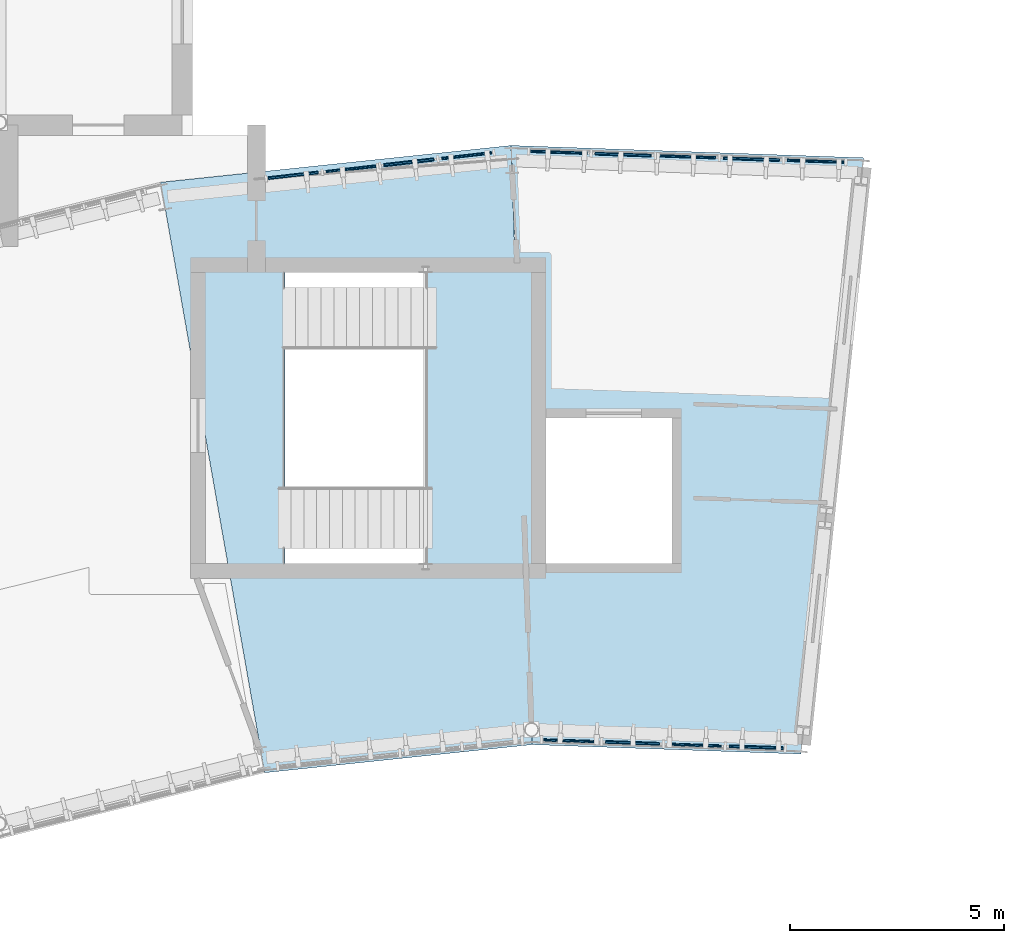
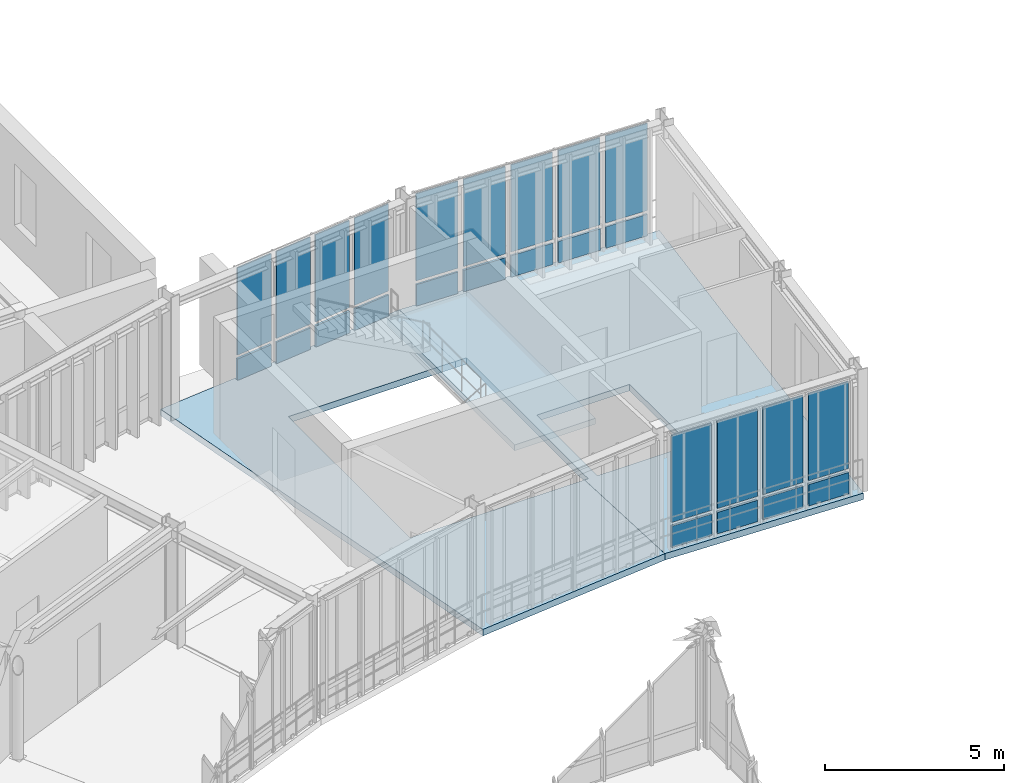
# One storey, part 104 of 148: 26 plates, 3 slabs, 4 elements without a shape of their own.
"""IFC4 building model written with IfcOpenShell, lengths in metres."""

from ifc_helpers import new_model, si_unit, direction, frame, origin, origin_2d, place, context, subcontext, project, spatial, polyline, rectangle, outline, extrude, material, layer, layer_set, type_object, element, aggregate, save


model = new_model("IFC4")

# Units and contexts
model_context = context("Model", 3, precision=1e-05, world=origin(), true_north=direction((0.0, 1.0)))
body_context = subcontext(model_context, "Body", "Model", "MODEL_VIEW")
ifc_project = project(units=[si_unit("LENGTHUNIT", "METRE"), si_unit("AREAUNIT", "SQUARE_METRE"), si_unit("VOLUMEUNIT", "CUBIC_METRE"), si_unit("PLANEANGLEUNIT", "RADIAN"), si_unit("MASSUNIT", "GRAM", prefix="KILO"), si_unit("THERMODYNAMICTEMPERATUREUNIT", "KELVIN"), si_unit("POWERUNIT", "WATT")], contexts=[model_context])

# Site, building, storey
site_placement = place(None, origin())
site = spatial("IfcSite", under=ifc_project, at=site_placement, CompositionType="ELEMENT")
building_placement = place(site_placement, origin())
building = spatial("IfcBuilding", under=site, at=building_placement, Name="Solvatero Civic Police Headquarters", CompositionType="ELEMENT")
storey_placement = place(building_placement, frame((0.0, 0.0, 5.10009765625)))
storey = spatial("IfcBuildingStorey", under=building, at=storey_placement, Name="L01", CompositionType="ELEMENT", Elevation=5.10009765625)

# Curtain wall, plates
ifc_material_1 = material(Name="Anodized Bronze Aluminium", Category="aluminium")
ifc_layer_1 = layer(ifc_material_1, 0.179931640625)
ifc_layer_set_1 = layer_set([ifc_layer_1], Name="Anodized Bronze Aluminium")
curtain_wall_type_1 = type_object("IfcCurtainWallType", Name="CW-ARC-OUT", PredefinedType="USERDEFINED", material=ifc_layer_set_1)
curtain_wall_1_placement = place(storey_placement, origin())
curtain_wall_1 = element("IfcCurtainWall", 1, at=curtain_wall_1_placement, inside=storey, type_object=curtain_wall_type_1, Name="Curtain Wall CW-R2-L01-ARC-OUT-B01", ObjectType="UNITISED", PredefinedType="USERDEFINED")
ifc_material_2 = material(Name="Triple Low-E Laminated Glass", Category="glass")
ifc_layer_2 = layer(ifc_material_2, 0.0380859375)
ifc_layer_set_2 = layer_set([ifc_layer_2], Name="Triple Low-E Laminated Glass")
plate_type_1 = type_object("IfcPlateType", Name="CWP-GLZ-38", PredefinedType="CURTAIN_PANEL", material=ifc_layer_set_2)
plate_1_placement = place(storey_placement, frame((99.050048828125, 84.595947265625, 0.91015625), z_axis=(0.0, 0.0, 1.0), x_axis=(-0.999390827019, 0.034899496703, 0.0)))
plate_1 = element("IfcPlate", 2, at=plate_1_placement, type_object=plate_type_1, Name="CW-R2-L01-ARC-OUT-B01 Vision Glazing 1", PredefinedType="CURTAIN_PANEL", context=body_context, shape_type="SweptSolid", body=[
    extrude(rectangle(XDim=1.318603515625, YDim=0.0380859375, at=origin_2d()), origin(), (0.0, 0.0, 1.0), 2.969970703125),
])
plate_2_placement = place(storey_placement, frame((96.0546875, 84.700439453125, 0.91015625), z_axis=(0.0, 0.0, 1.0), x_axis=(-0.999390827019, 0.034899496703, 0.0)))
plate_2 = element("IfcPlate", 3, at=plate_2_placement, type_object=plate_type_1, Name="CW-R2-L01-ARC-OUT-B01 Vision Glazing 3", PredefinedType="CURTAIN_PANEL", context=body_context, shape_type="SweptSolid", body=[
    extrude(rectangle(XDim=1.318603515625, YDim=0.0380859375, at=origin_2d()), origin(), (0.0, 0.0, 1.0), 2.969970703125),
])
plate_3_placement = place(storey_placement, frame((93.059814453125, 84.80517578125, 0.91015625), z_axis=(0.0, 0.0, 1.0), x_axis=(-0.999390827019, 0.034899496703, 0.0)))
plate_3 = element("IfcPlate", 4, at=plate_3_placement, type_object=plate_type_1, Name="CW-R2-L01-ARC-OUT-B01 Vision Glazing 5", PredefinedType="CURTAIN_PANEL", context=body_context, shape_type="SweptSolid", body=[
    extrude(rectangle(XDim=1.318603515625, YDim=0.0380859375, at=origin_2d()), origin(), (0.0, 0.0, 1.0), 2.969970703125),
])

ifc_layer_3 = layer(ifc_material_1, 0.179931640625)
ifc_layer_set_3 = layer_set([ifc_layer_3], Name="Anodized Bronze Aluminium")
curtain_wall_type_2 = type_object("IfcCurtainWallType", Name="CW-ARC-IN", PredefinedType="USERDEFINED", material=ifc_layer_set_3)
curtain_wall_2_placement = place(storey_placement, origin())
curtain_wall_2 = element("IfcCurtainWall", 5, at=curtain_wall_2_placement, inside=storey, type_object=curtain_wall_type_2, Name="Curtain Wall CW-R2-L01-ARC-IN-B01", ObjectType="UNITISED", PredefinedType="USERDEFINED")
plate_4_placement = place(storey_placement, frame((96.21826171875, 70.960205078125, 0.91015625), z_axis=(0.0, 0.0, 1.0), x_axis=(-0.999390827019, 0.034899496703, 0.0)))
plate_4 = element("IfcPlate", 6, at=plate_4_placement, type_object=plate_type_1, Name="CW-R2-L01-ARC-IN-B01 Vision Glazing 2", PredefinedType="CURTAIN_PANEL", context=body_context, shape_type="SweptSolid", body=[
    extrude(rectangle(XDim=1.263916015625, YDim=0.0380859375, at=origin_2d()), origin(), (0.0, 0.0, 1.0), 2.969970703125),
])
plate_5_placement = place(storey_placement, frame((93.33251953125, 71.060791015625, 0.91015625), z_axis=(0.0, 0.0, 1.0), x_axis=(-0.999390827019, 0.034899496703, 0.0)))
plate_5 = element("IfcPlate", 7, at=plate_5_placement, type_object=plate_type_1, Name="CW-R2-L01-ARC-IN-B01 Vision Glazing 4", PredefinedType="CURTAIN_PANEL", context=body_context, shape_type="SweptSolid", body=[
    extrude(rectangle(XDim=1.263916015625, YDim=0.0380859375, at=origin_2d()), origin(), (0.0, 0.0, 1.0), 2.969970703125),
])

curtain_wall_3_placement = place(storey_placement, origin())
curtain_wall_3 = element("IfcCurtainWall", 8, at=curtain_wall_3_placement, inside=storey, type_object=curtain_wall_type_1, Name="Curtain Wall CW-R2-L01-ARC-OUT-B02E", ObjectType="UNITISED", PredefinedType="USERDEFINED")
plate_6_placement = place(storey_placement, frame((90.904296875, 84.725341796875, 0.91015625), z_axis=(0.0, 0.0, 1.0), x_axis=(-0.99356395018, -0.113272577893, 0.0)))
plate_6 = element("IfcPlate", 9, at=plate_6_placement, type_object=plate_type_1, Name="CW-R2-L01-ARC-OUT-B02E Vision Glazing 1", PredefinedType="CURTAIN_PANEL", context=body_context, shape_type="SweptSolid", body=[
    extrude(rectangle(XDim=1.1787109375, YDim=0.0380859375, at=origin_2d()), origin(), (0.0, 0.0, 1.0), 2.969970703125),
])
plate_7_placement = place(storey_placement, frame((88.20458984375, 84.41748046875, 0.91015625), z_axis=(0.0, 0.0, 1.0), x_axis=(-0.99356395018, -0.113272577893, 0.0)))
plate_7 = element("IfcPlate", 10, at=plate_7_placement, type_object=plate_type_1, Name="CW-R2-L01-ARC-OUT-B02E Vision Glazing 3", PredefinedType="CURTAIN_PANEL", context=body_context, shape_type="SweptSolid", body=[
    extrude(rectangle(XDim=1.1787109375, YDim=0.0380859375, at=origin_2d()), origin(), (0.0, 0.0, 1.0), 2.969970703125),
])

# Plate
ifc_material_3 = material(Name="Acoustic Ballistic Laminated Glass", Category="glass")
ifc_layer_4 = layer(ifc_material_3, 0.0439453125)
ifc_layer_set_4 = layer_set([ifc_layer_4], Name="Acoustic Ballistic Laminated Glass")
plate_type_2 = type_object("IfcPlateType", Name="CWP-GLZ-44", PredefinedType="CURTAIN_PANEL", material=ifc_layer_set_4)
plate_8_placement = place(storey_placement, frame((97.552490234375, 84.648193359375, 0.91015625), z_axis=(0.0, 0.0, 1.0), x_axis=(-0.999390827019, 0.034899496703, 0.0)))
plate_8 = element("IfcPlate", 11, at=plate_8_placement, type_object=plate_type_2, Name="CW-R2-L01-ARC-OUT-B01 Vision Glazing 2", PredefinedType="CURTAIN_PANEL", context=body_context, shape_type="SweptSolid", body=[
    extrude(rectangle(XDim=1.318603515625, YDim=0.0439453125, at=origin_2d()), origin(), (0.0, 0.0, 1.0), 2.969970703125),
])

plate_9_placement = place(storey_placement, frame((94.557373046875, 84.752685546875, 0.91015625), z_axis=(0.0, 0.0, 1.0), x_axis=(-0.999390827019, 0.034899496703, 0.0)))
plate_9 = element("IfcPlate", 12, at=plate_9_placement, type_object=plate_type_2, Name="CW-R2-L01-ARC-OUT-B01 Vision Glazing 4", PredefinedType="CURTAIN_PANEL", context=body_context, shape_type="SweptSolid", body=[
    extrude(rectangle(XDim=1.318603515625, YDim=0.0439453125, at=origin_2d()), origin(), (0.0, 0.0, 1.0), 2.969970703125),
])

plate_10_placement = place(storey_placement, frame((97.6611328125, 70.90966796875, 0.91015625), z_axis=(0.0, 0.0, 1.0), x_axis=(-0.999390827019, 0.034899496703, 0.0)))
plate_10 = element("IfcPlate", 13, at=plate_10_placement, type_object=plate_type_2, Name="CW-R2-L01-ARC-IN-B01 Vision Glazing 1", PredefinedType="CURTAIN_PANEL", context=body_context, shape_type="SweptSolid", body=[
    extrude(rectangle(XDim=1.263916015625, YDim=0.0439453125, at=origin_2d()), origin(), (0.0, 0.0, 1.0), 2.969970703125),
])

plate_11_placement = place(storey_placement, frame((94.775390625, 71.010498046875, 0.91015625), z_axis=(0.0, 0.0, 1.0), x_axis=(-0.999390827019, 0.034899496703, 0.0)))
plate_11 = element("IfcPlate", 14, at=plate_11_placement, type_object=plate_type_2, Name="CW-R2-L01-ARC-IN-B01 Vision Glazing 3", PredefinedType="CURTAIN_PANEL", context=body_context, shape_type="SweptSolid", body=[
    extrude(rectangle(XDim=1.263916015625, YDim=0.0439453125, at=origin_2d()), origin(), (0.0, 0.0, 1.0), 2.969970703125),
])

plate_12_placement = place(storey_placement, frame((89.554443359375, 84.571533203125, 0.91015625), z_axis=(0.0, 0.0, 1.0), x_axis=(-0.99356395018, -0.113272577893, 0.0)))
plate_12 = element("IfcPlate", 15, at=plate_12_placement, type_object=plate_type_2, Name="CW-R2-L01-ARC-OUT-B02E Vision Glazing 2", PredefinedType="CURTAIN_PANEL", context=body_context, shape_type="SweptSolid", body=[
    extrude(rectangle(XDim=1.1787109375, YDim=0.0439453125, at=origin_2d()), origin(), (0.0, 0.0, 1.0), 2.969970703125),
])

plate_13_placement = place(storey_placement, frame((86.8544921875, 84.263671875, 0.91015625), z_axis=(0.0, 0.0, 1.0), x_axis=(-0.99356395018, -0.113272577893, 0.0)))
plate_13 = element("IfcPlate", 16, at=plate_13_placement, type_object=plate_type_2, Name="CW-R2-L01-ARC-OUT-B02E Vision Glazing 4", PredefinedType="CURTAIN_PANEL", context=body_context, shape_type="SweptSolid", body=[
    extrude(rectangle(XDim=1.1787109375, YDim=0.0439453125, at=origin_2d()), origin(), (0.0, 0.0, 1.0), 2.969970703125),
])

ifc_material_4 = material(Name="Insulated Bronze Aluminium Spandrel", Category="aluminium")
ifc_layer_5 = layer(ifc_material_4, 0.06005859375)
ifc_layer_set_5 = layer_set([ifc_layer_5], Name="Insulated Bronze Aluminium Spandrel")
plate_type_3 = type_object("IfcPlateType", Name="CWP-SPN-60", PredefinedType="CURTAIN_PANEL", material=ifc_layer_set_5)
plate_14_placement = place(storey_placement, frame((99.050048828125, 84.595947265625, 0.059814453125), z_axis=(0.0, 0.0, 1.0), x_axis=(-0.999390827019, 0.034899496703, 0.0)))
plate_14 = element("IfcPlate", 17, at=plate_14_placement, type_object=plate_type_3, Name="CW-R2-L01-ARC-OUT-B01 Spandrel Panel 1", PredefinedType="CURTAIN_PANEL", context=body_context, shape_type="SweptSolid", body=[
    extrude(rectangle(XDim=1.318603515625, YDim=0.06005859375, at=origin_2d()), origin(), (0.0, 0.0, 1.0), 0.72998046875),
])

plate_15_placement = place(storey_placement, frame((96.0546875, 84.700439453125, 0.059814453125), z_axis=(0.0, 0.0, 1.0), x_axis=(-0.999390827019, 0.034899496703, 0.0)))
plate_15 = element("IfcPlate", 18, at=plate_15_placement, type_object=plate_type_3, Name="CW-R2-L01-ARC-OUT-B01 Spandrel Panel 3", PredefinedType="CURTAIN_PANEL", context=body_context, shape_type="SweptSolid", body=[
    extrude(rectangle(XDim=1.318603515625, YDim=0.06005859375, at=origin_2d()), origin(), (0.0, 0.0, 1.0), 0.72998046875),
])

plate_16_placement = place(storey_placement, frame((93.059814453125, 84.80517578125, 0.059814453125), z_axis=(0.0, 0.0, 1.0), x_axis=(-0.999390827019, 0.034899496703, 0.0)))
plate_16 = element("IfcPlate", 19, at=plate_16_placement, type_object=plate_type_3, Name="CW-R2-L01-ARC-OUT-B01 Spandrel Panel 5", PredefinedType="CURTAIN_PANEL", context=body_context, shape_type="SweptSolid", body=[
    extrude(rectangle(XDim=1.318603515625, YDim=0.06005859375, at=origin_2d()), origin(), (0.0, 0.0, 1.0), 0.72998046875),
])

plate_17_placement = place(storey_placement, frame((96.21826171875, 70.960205078125, 0.059814453125), z_axis=(0.0, 0.0, 1.0), x_axis=(-0.999390827019, 0.034899496703, 0.0)))
plate_17 = element("IfcPlate", 20, at=plate_17_placement, type_object=plate_type_3, Name="CW-R2-L01-ARC-IN-B01 Spandrel Panel 2", PredefinedType="CURTAIN_PANEL", context=body_context, shape_type="SweptSolid", body=[
    extrude(rectangle(XDim=1.263916015625, YDim=0.06005859375, at=origin_2d()), origin(), (0.0, 0.0, 1.0), 0.72998046875),
])

plate_18_placement = place(storey_placement, frame((93.33251953125, 71.060791015625, 0.059814453125), z_axis=(0.0, 0.0, 1.0), x_axis=(-0.999390827019, 0.034899496703, 0.0)))
plate_18 = element("IfcPlate", 21, at=plate_18_placement, type_object=plate_type_3, Name="CW-R2-L01-ARC-IN-B01 Spandrel Panel 4", PredefinedType="CURTAIN_PANEL", context=body_context, shape_type="SweptSolid", body=[
    extrude(rectangle(XDim=1.263916015625, YDim=0.06005859375, at=origin_2d()), origin(), (0.0, 0.0, 1.0), 0.72998046875),
])

plate_19_placement = place(storey_placement, frame((90.904296875, 84.725341796875, 0.059814453125), z_axis=(0.0, 0.0, 1.0), x_axis=(-0.99356395018, -0.113272577893, 0.0)))
plate_19 = element("IfcPlate", 22, at=plate_19_placement, type_object=plate_type_3, Name="CW-R2-L01-ARC-OUT-B02E Spandrel Panel 1", PredefinedType="CURTAIN_PANEL", context=body_context, shape_type="SweptSolid", body=[
    extrude(rectangle(XDim=1.1787109375, YDim=0.06005859375, at=origin_2d()), origin(), (0.0, 0.0, 1.0), 0.72998046875),
])

plate_20_placement = place(storey_placement, frame((88.20458984375, 84.41748046875, 0.059814453125), z_axis=(0.0, 0.0, 1.0), x_axis=(-0.99356395018, -0.113272577893, 0.0)))
plate_20 = element("IfcPlate", 23, at=plate_20_placement, type_object=plate_type_3, Name="CW-R2-L01-ARC-OUT-B02E Spandrel Panel 3", PredefinedType="CURTAIN_PANEL", context=body_context, shape_type="SweptSolid", body=[
    extrude(rectangle(XDim=1.1787109375, YDim=0.06005859375, at=origin_2d()), origin(), (0.0, 0.0, 1.0), 0.72998046875),
])

ifc_material_5 = material(Name="Limestone Veneer Spandrel Panel", Category="masonry")
ifc_layer_6 = layer(ifc_material_5, 0.074951171875)
ifc_layer_set_6 = layer_set([ifc_layer_6], Name="Limestone Veneer Spandrel Panel")
plate_type_4 = type_object("IfcPlateType", Name="CWP-SPN-75", PredefinedType="CURTAIN_PANEL", material=ifc_layer_set_6)
plate_21_placement = place(storey_placement, frame((97.552490234375, 84.648193359375, 0.059814453125), z_axis=(0.0, 0.0, 1.0), x_axis=(-0.999390827019, 0.034899496703, 0.0)))
plate_21 = element("IfcPlate", 24, at=plate_21_placement, type_object=plate_type_4, Name="CW-R2-L01-ARC-OUT-B01 Spandrel Panel 2", PredefinedType="CURTAIN_PANEL", context=body_context, shape_type="SweptSolid", body=[
    extrude(rectangle(XDim=1.318603515625, YDim=0.074951171875, at=origin_2d()), origin(), (0.0, 0.0, 1.0), 0.72998046875),
])

plate_22_placement = place(storey_placement, frame((94.557373046875, 84.752685546875, 0.059814453125), z_axis=(0.0, 0.0, 1.0), x_axis=(-0.999390827019, 0.034899496703, 0.0)))
plate_22 = element("IfcPlate", 25, at=plate_22_placement, type_object=plate_type_4, Name="CW-R2-L01-ARC-OUT-B01 Spandrel Panel 4", PredefinedType="CURTAIN_PANEL", context=body_context, shape_type="SweptSolid", body=[
    extrude(rectangle(XDim=1.318603515625, YDim=0.074951171875, at=origin_2d()), origin(), (0.0, 0.0, 1.0), 0.72998046875),
])

aggregate(curtain_wall_1, [plate_14, plate_1, plate_21, plate_8, plate_15, plate_2, plate_22, plate_9, plate_16, plate_3])

plate_23_placement = place(storey_placement, frame((97.6611328125, 70.90966796875, 0.059814453125), z_axis=(0.0, 0.0, 1.0), x_axis=(-0.999390827019, 0.034899496703, 0.0)))
plate_23 = element("IfcPlate", 26, at=plate_23_placement, type_object=plate_type_4, Name="CW-R2-L01-ARC-IN-B01 Spandrel Panel 1", PredefinedType="CURTAIN_PANEL", context=body_context, shape_type="SweptSolid", body=[
    extrude(rectangle(XDim=1.263916015625, YDim=0.074951171875, at=origin_2d()), origin(), (0.0, 0.0, 1.0), 0.72998046875),
])

plate_24_placement = place(storey_placement, frame((94.775390625, 71.010498046875, 0.059814453125), z_axis=(0.0, 0.0, 1.0), x_axis=(-0.999390827019, 0.034899496703, 0.0)))
plate_24 = element("IfcPlate", 27, at=plate_24_placement, type_object=plate_type_4, Name="CW-R2-L01-ARC-IN-B01 Spandrel Panel 3", PredefinedType="CURTAIN_PANEL", context=body_context, shape_type="SweptSolid", body=[
    extrude(rectangle(XDim=1.263916015625, YDim=0.074951171875, at=origin_2d()), origin(), (0.0, 0.0, 1.0), 0.72998046875),
])

aggregate(curtain_wall_2, [plate_23, plate_10, plate_17, plate_4, plate_24, plate_11, plate_18, plate_5])

plate_25_placement = place(storey_placement, frame((89.554443359375, 84.571533203125, 0.059814453125), z_axis=(0.0, 0.0, 1.0), x_axis=(-0.99356395018, -0.113272577893, 0.0)))
plate_25 = element("IfcPlate", 28, at=plate_25_placement, type_object=plate_type_4, Name="CW-R2-L01-ARC-OUT-B02E Spandrel Panel 2", PredefinedType="CURTAIN_PANEL", context=body_context, shape_type="SweptSolid", body=[
    extrude(rectangle(XDim=1.1787109375, YDim=0.074951171875, at=origin_2d()), origin(), (0.0, 0.0, 1.0), 0.72998046875),
])

plate_26_placement = place(storey_placement, frame((86.8544921875, 84.263671875, 0.059814453125), z_axis=(0.0, 0.0, 1.0), x_axis=(-0.99356395018, -0.113272577893, 0.0)))
plate_26 = element("IfcPlate", 29, at=plate_26_placement, type_object=plate_type_4, Name="CW-R2-L01-ARC-OUT-B02E Spandrel Panel 4", PredefinedType="CURTAIN_PANEL", context=body_context, shape_type="SweptSolid", body=[
    extrude(rectangle(XDim=1.1787109375, YDim=0.074951171875, at=origin_2d()), origin(), (0.0, 0.0, 1.0), 0.72998046875),
])

aggregate(curtain_wall_3, [plate_19, plate_6, plate_25, plate_12, plate_20, plate_7, plate_26, plate_13])

# Slabs
ifc_material_6 = material(Name="Concrete C35/45", Category="concrete")
ifc_layer_7 = layer(ifc_material_6, 0.199951171875)
ifc_layer_set_7 = layer_set([ifc_layer_7], Name="Concrete C35/45")
slab_type_1 = type_object("IfcSlabType", Name="SLB-COMP-200", PredefinedType="FLOOR", material=ifc_layer_set_7)
slab_1_placement = place(storey_placement, frame((0.0, 0.0, -0.22021484375)))
element("IfcSlab", 30, at=slab_1_placement, inside=storey, type_object=slab_type_1, Name="L01 Operations Arc Floor Slab Bay 1", PredefinedType="FLOOR", context=body_context, shape_type="SweptSolid", body=[
    extrude(outline(polyline([(98.703857421875, 70.75341796875), (92.429443359375, 70.97265625), (92.281982421875, 75.199951171875), (92.39990234375, 75.199951171875), (92.39990234375, 82.0), (92.04443359375, 82.0), (91.94091796875, 84.964111328125), (100.167236328125, 84.6767578125), (98.703857421875, 70.75341796875)]), holes=[polyline([(92.699951171875, 75.199951171875), (95.699951171875, 75.199951171875), (95.699951171875, 78.60009765625), (92.699951171875, 78.60009765625), (92.699951171875, 75.199951171875)])]), origin(), (0.0, 0.0, 1.0), 0.22021484375),
])
slab_2_placement = place(storey_placement, frame((0.0, 0.0, -0.22021484375)))
element("IfcSlab", 31, at=slab_2_placement, inside=storey, type_object=slab_type_1, Name="L01 Operations Arc Floor Slab Bay 2", PredefinedType="FLOOR", context=body_context, shape_type="SweptSolid", body=[
    extrude(outline(polyline([(83.7548828125, 84.103759765625), (91.93896484375, 84.9638671875), (92.04248046875, 82.0), (86.659912109375, 82.0), (86.659912109375, 75.199951171875), (92.27978515625, 75.199951171875), (92.427490234375, 70.972412109375), (86.185791015625, 70.31640625), (83.7548828125, 84.103759765625)])), origin(), (0.0, 0.0, 1.0), 0.22021484375),
])

# Stair, slab
ifc_material_7 = material(Name="Precast concrete C40/50", Category="concrete")
stair_type = type_object("IfcStairType", Name="STR-C145-420", PredefinedType="HALF_TURN_STAIR", material=ifc_material_7)
stair_placement = place(storey_placement, origin())
stair = element("IfcStair", 32, at=stair_placement, inside=storey, type_object=stair_type, Name="Protected Exit Stair ST-C3 (L01 to L02)", PredefinedType="HALF_TURN_STAIR")
ifc_layer_8 = layer(ifc_material_7, 0.199951171875)
ifc_layer_set_8 = layer_set([ifc_layer_8], Name="Precast concrete C40/50")
slab_type_2 = type_object("IfcSlabType", Name="SLB-LND-200", PredefinedType="LANDING", material=ifc_layer_set_8)
slab_3_placement = place(storey_placement, frame((0.0, 0.0, 1.89990234375)))
slab_3 = element("IfcSlab", 33, at=slab_3_placement, type_object=slab_type_2, Name="ST-C3 L01 Half-Landing", PredefinedType="LANDING", context=body_context, shape_type="SweptSolid", body=[
    extrude(outline(polyline([(89.93994140625, 75.050048828125), (92.550048828125, 75.050048828125), (92.550048828125, 82.14990234375), (89.93994140625, 82.14990234375), (89.93994140625, 75.050048828125)])), origin(), (0.0, 0.0, 1.0), 0.199951171875),
])
aggregate(stair, [slab_3])

save(model, "model.ifc")
